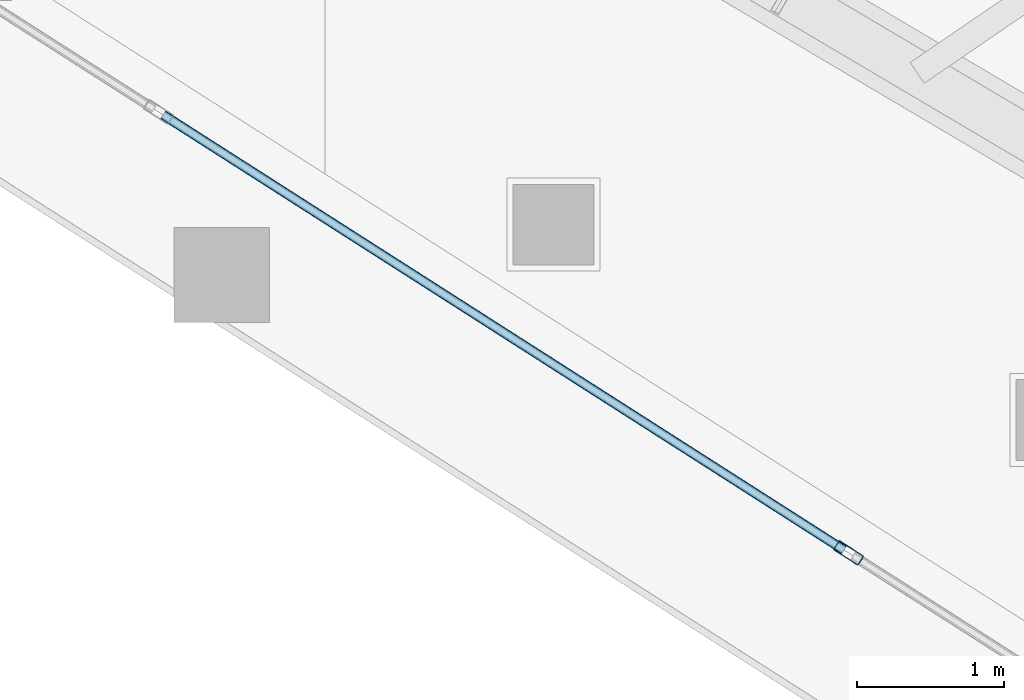
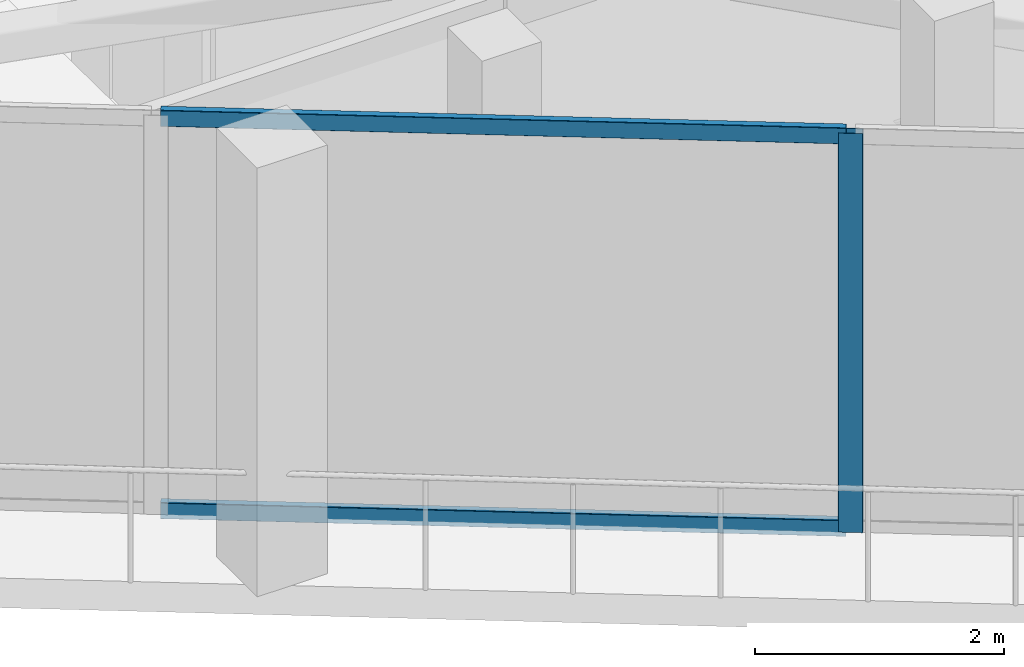
# One storey, part 4 of 34: 3 members, 1 element without a shape of its own.
"""IFC4 building model written with IfcOpenShell, lengths in metres."""

from ifc_helpers import new_model, si_unit, direction, frame, origin, origin_2d, place, context, subcontext, project, spatial, hollow_rectangle, extrude, material, layer, layer_set, material_profile, profile_set, type_object, element, aggregate, save


model = new_model("IFC4")

# Units and contexts
model_context = context("Model", 3, precision=1e-05, world=origin(), true_north=direction((0.0, 1.0)))
body_context = subcontext(model_context, "Body", "Model", "MODEL_VIEW")
ifc_project = project(units=[si_unit("LENGTHUNIT", "METRE"), si_unit("AREAUNIT", "SQUARE_METRE"), si_unit("VOLUMEUNIT", "CUBIC_METRE"), si_unit("PLANEANGLEUNIT", "RADIAN"), si_unit("MASSUNIT", "GRAM", prefix="KILO")], contexts=[model_context])

# Site, building, storey
site_placement = place(None, origin())
site = spatial("IfcSite", under=ifc_project, at=site_placement, CompositionType="ELEMENT")
building_placement = place(site_placement, origin())
building = spatial("IfcBuilding", under=site, at=building_placement, Name="Qorvath Tower", CompositionType="ELEMENT")
storey_placement = place(building_placement, frame((0.0, 0.0, 276.60009765625)))
storey = spatial("IfcBuildingStorey", under=building, at=storey_placement, Name="L64", CompositionType="ELEMENT", Elevation=276.60009765625)

# Curtain wall, members
ifc_material_1 = material(Name="Anodised aluminium and triple low-E glass", Category="aluminium")
ifc_layer = layer(ifc_material_1, 0.179931640625)
ifc_layer_set = layer_set([ifc_layer], Name="CW-SYS-4")
curtain_wall_type = type_object("IfcCurtainWallType", Name="CW-SYS-4", PredefinedType="NOTDEFINED", material=ifc_layer_set)
curtain_wall_placement = place(storey_placement, origin())
curtain_wall = element("IfcCurtainWall", 1, at=curtain_wall_placement, inside=storey, type_object=curtain_wall_type, Name="Curtain Wall CW-4 CW-T-L64-2.1", PredefinedType="NOTDEFINED")
ifc_material_2 = material(Name="Anodised aluminium 6063-T6", Category="aluminium")
ifc_material_profile_1 = material_profile(ifc_material_2, hollow_rectangle(XDim=0.074951171875, YDim=0.199951171875, WallThickness=0.00390625, InnerFilletRadius=0.00390625, OuterFilletRadius=0.008056640625, at=origin_2d()), Name="CWM 200x75")
ifc_profile_set_1 = profile_set([ifc_material_profile_1], Name="Anodised aluminium 6063-T6")
member_type_1 = type_object("IfcMemberType", Name="CWM-200", PredefinedType="MULLION", material=ifc_profile_set_1)
member_1_placement = place(storey_placement, frame((-32.093505859375, -15.029541015625, 0.0), z_axis=(0.0, 0.0, 1.0), x_axis=(0.538533509281, 0.842604094093, 0.0)))
member_1 = element("IfcMember", 2, at=member_1_placement, type_object=member_type_1, Name="CW-4 mullion 5", PredefinedType="MULLION", context=body_context, shape_type="SweptSolid", body=[
    extrude(hollow_rectangle(XDim=0.074951171875, YDim=0.199951171875, WallThickness=0.00390625, InnerFilletRadius=0.00390625, OuterFilletRadius=0.008056640625, at=origin_2d()), origin(), (0.0, 0.0, 1.0), 3.909912109375),
])
ifc_material_3 = material(Name="Anodised aluminium 6063-T6", Category="aluminium")
ifc_material_profile_2 = material_profile(ifc_material_3, hollow_rectangle(XDim=0.06494140625, YDim=0.159912109375, WallThickness=0.00341796875, InnerFilletRadius=0.00341796875, OuterFilletRadius=0.007080078125, at=origin_2d()), Name="CWT 160x65")
ifc_profile_set_2 = profile_set([ifc_material_profile_2], Name="Anodised aluminium 6063-T6")
member_type_2 = type_object("IfcMemberType", Name="CWT-160", PredefinedType="USERDEFINED", material=ifc_profile_set_2)
member_2_placement = place(storey_placement, frame((-36.76513671875, -12.0439453125, 0.032470703125), z_axis=(0.842597346925, -0.538544065935, 0.0), x_axis=(0.538544065935, 0.842597346925, 0.0)))
member_2 = element("IfcMember", 3, at=member_2_placement, type_object=member_type_2, Name="CW-4 transom 4.1", ObjectType="TRANSOM", PredefinedType="USERDEFINED", context=body_context, shape_type="SweptSolid", body=[
    extrude(hollow_rectangle(XDim=0.06494140625, YDim=0.159912109375, WallThickness=0.00341796875, InnerFilletRadius=0.00341796875, OuterFilletRadius=0.007080078125, at=origin_2d()), origin(), (0.0, 0.0, 1.0), 5.506591796875),
])
member_3_placement = place(storey_placement, frame((-36.76513671875, -12.0439453125, 3.87744140625), z_axis=(0.842597346925, -0.538544065935, 0.0), x_axis=(0.538544065935, 0.842597346925, 0.0)))
member_3 = element("IfcMember", 4, at=member_3_placement, type_object=member_type_2, Name="CW-4 transom 4.2", ObjectType="TRANSOM", PredefinedType="USERDEFINED", context=body_context, shape_type="SweptSolid", body=[
    extrude(hollow_rectangle(XDim=0.06494140625, YDim=0.159912109375, WallThickness=0.00341796875, InnerFilletRadius=0.00341796875, OuterFilletRadius=0.007080078125, at=origin_2d()), origin(), (0.0, 0.0, 1.0), 5.506591796875),
])
aggregate(curtain_wall, [member_1, member_2, member_3])

save(model, "model.ifc")
